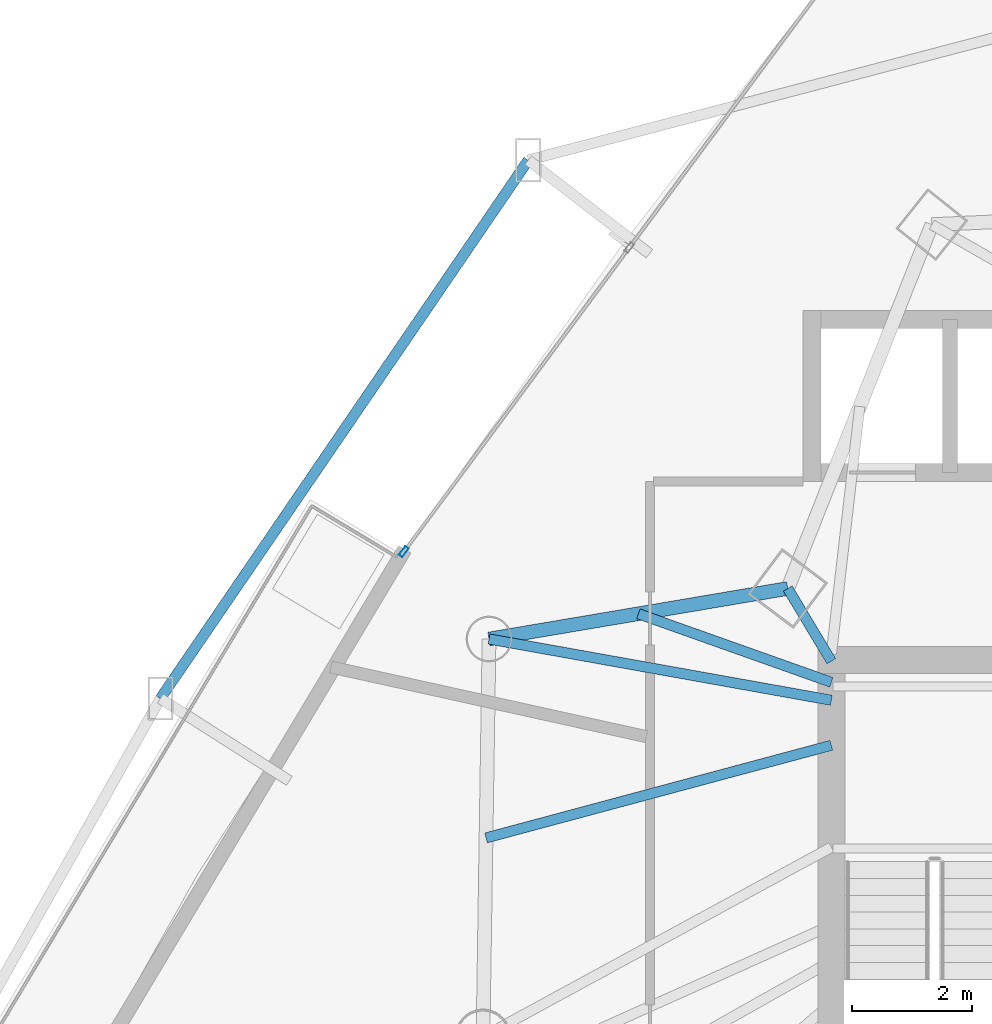
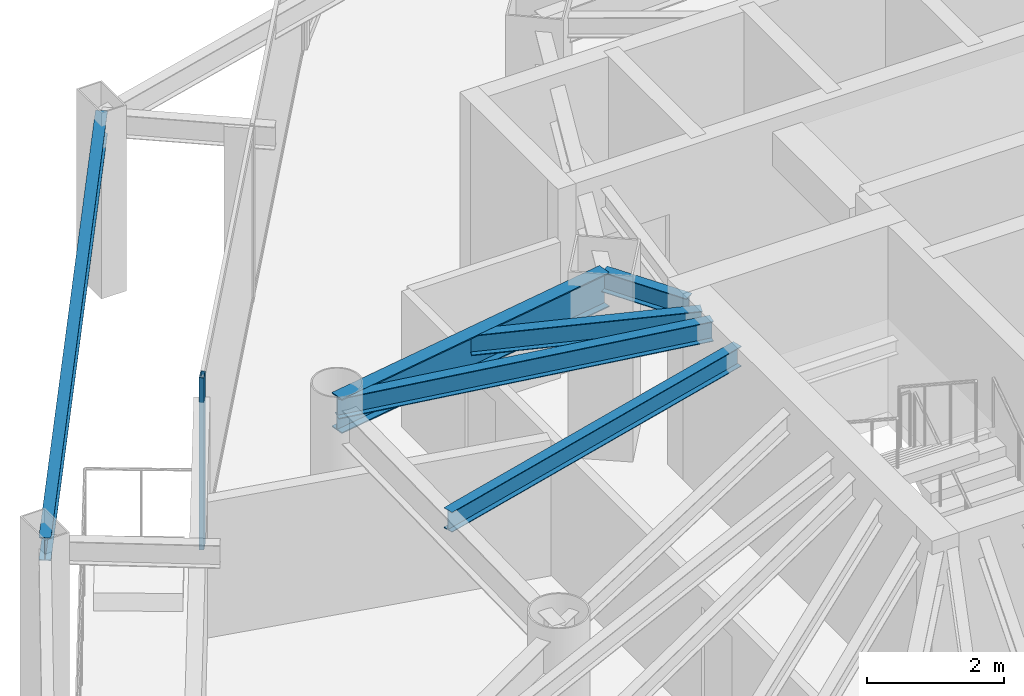
# One storey, part 23 of 37: 6 beams, 1 member, 1 element without a shape of its own.
"""IFC4 building model written with IfcOpenShell, lengths in metres."""

from ifc_helpers import new_model, si_unit, direction, frame, origin, origin_2d, place, context, subcontext, project, spatial, hollow_rectangle, i_section, extrude, material, layer, layer_set, material_profile, profile_set, type_object, element, aggregate, save


model = new_model("IFC4")

# Units and contexts
model_context = context("Model", 3, precision=1e-05, world=origin(), true_north=direction((0.0, 1.0)))
body_context = subcontext(model_context, "Body", "Model", "MODEL_VIEW")
ifc_project = project(units=[si_unit("LENGTHUNIT", "METRE"), si_unit("AREAUNIT", "SQUARE_METRE"), si_unit("VOLUMEUNIT", "CUBIC_METRE"), si_unit("PLANEANGLEUNIT", "RADIAN"), si_unit("MASSUNIT", "GRAM", prefix="KILO")], contexts=[model_context])

# Site, building, storey
site_placement = place(None, origin())
site = spatial("IfcSite", under=ifc_project, at=site_placement, CompositionType="ELEMENT")
building_placement = place(site_placement, origin())
building = spatial("IfcBuilding", under=site, at=building_placement, Name="Orvanel Arch Residences", CompositionType="ELEMENT")
storey_placement = place(building_placement, frame((0.0, 0.0, 53.300048828125)))
storey = spatial("IfcBuildingStorey", under=building, at=storey_placement, Name="L14", CompositionType="ELEMENT", Elevation=53.300048828125)

# Beams
ifc_material_1 = material(Name="Structural steel AS/NZS 3679.1 Grade 300 (300 MPa)", Category="steel")
ifc_material_profile_1 = material_profile(ifc_material_1, i_section(OverallWidth=0.1708984375, OverallDepth=0.35595703125, WebThickness=0.00732421875, FlangeThickness=0.011474609375, at=origin_2d()), Name="360UB50.7")
ifc_profile_set_1 = profile_set([ifc_material_profile_1], Name="Structural steel AS/NZS 3679.1 Grade 300 (300 MPa)")
beam_type_1 = type_object("IfcBeamType", Name="BJ-360UB", PredefinedType="JOIST", material=ifc_profile_set_1)
beam_1_placement = place(storey_placement, frame((26.375, 33.89990234375, 2.8818359375), z_axis=(-0.514064138778, 0.857751748015, 0.0), x_axis=(-0.857751748015, -0.514064138778, 0.0)))
element("IfcBeam", 1, at=beam_1_placement, inside=storey, type_object=beam_type_1, Name="L14 NNW Wing Floor Joist", PredefinedType="JOIST", context=body_context, shape_type="SweptSolid", body=[
    extrude(i_section(OverallWidth=0.1708984375, OverallDepth=0.35595703125, WebThickness=0.00732421875, FlangeThickness=0.011474609375, at=origin_2d()), origin(), (0.0, 0.0, 1.0), 1.414306640625),
])
beam_2_placement = place(storey_placement, frame((26.375, 32.5, 2.8818359375), z_axis=(-0.965844838168, -0.259121107949, 0.0), x_axis=(0.259121107949, -0.965844838168, 0.0)))
element("IfcBeam", 2, at=beam_2_placement, inside=storey, type_object=beam_type_1, Name="L14 WNW Wing Floor Joist", PredefinedType="JOIST", context=body_context, shape_type="SweptSolid", body=[
    extrude(i_section(OverallWidth=0.1708984375, OverallDepth=0.35595703125, WebThickness=0.00732421875, FlangeThickness=0.011474609375, at=origin_2d()), origin(), (0.0, 0.0, 1.0), 5.95849609375),
])
beam_3_placement = place(storey_placement, frame((26.375, 33.25, 2.8818359375), z_axis=(-0.984360855662, 0.176163860766, 0.0), x_axis=(-0.176163860766, -0.984360855662, 0.0)))
element("IfcBeam", 3, at=beam_3_placement, inside=storey, type_object=beam_type_1, Name="L14 LW Wing Floor Joist", PredefinedType="JOIST", context=body_context, shape_type="SweptSolid", body=[
    extrude(i_section(OverallWidth=0.1708984375, OverallDepth=0.35595703125, WebThickness=0.00732421875, FlangeThickness=0.011474609375, at=origin_2d()), origin(), (0.0, 0.0, 1.0), 5.795654296875),
])
beam_4_placement = place(storey_placement, frame((26.375, 33.550048828125, 2.8818359375), z_axis=(-0.942366638377, 0.334582006201, 0.0), x_axis=(-0.334582006201, -0.942366638377, 0.0)))
element("IfcBeam", 4, at=beam_4_placement, inside=storey, type_object=beam_type_1, Name="L14 JADD3 Wing Floor Joist", PredefinedType="JOIST", context=body_context, shape_type="SweptSolid", body=[
    extrude(i_section(OverallWidth=0.1708984375, OverallDepth=0.35595703125, WebThickness=0.00732421875, FlangeThickness=0.011474609375, at=origin_2d()), origin(), (0.0, 0.0, 1.0), 3.412841796875),
])

# Curtain wall, member
ifc_material_2 = material(Name="Bronze-anodised aluminium AA6063-T6", Category="aluminium")
ifc_layer = layer(ifc_material_2, 0.179931640625)
ifc_layer_set = layer_set([ifc_layer], Name="Bronze-anodised aluminium AA6063-T6")
curtain_wall_type = type_object("IfcCurtainWallType", Name="CW2-LOW-SYS", PredefinedType="NOTDEFINED", material=ifc_layer_set)
curtain_wall_placement = place(storey_placement, origin())
curtain_wall = element("IfcCurtainWall", 5, at=curtain_wall_placement, inside=storey, type_object=curtain_wall_type, Name="L14 CW2-LOW-SYS Unitised Curtain Wall", PredefinedType="NOTDEFINED")
ifc_material_profile_2 = material_profile(ifc_material_2, hollow_rectangle(XDim=0.070068359375, YDim=0.179931640625, WallThickness=0.00439453125, at=origin_2d()), Name="ALU180x70x4.5")
ifc_profile_set_2 = profile_set([ifc_material_profile_2], Name="Bronze-anodised aluminium AA6063-T6")
member_type = type_object("IfcMemberType", Name="MUL-180x70", PredefinedType="MULLION", material=ifc_profile_set_2)
member_placement = place(storey_placement, frame((19.247802734375, 35.72509765625, 0.0), z_axis=(0.0, 0.0, 1.0), x_axis=(0.803233082468, -0.595664851429, 0.0)))
member = element("IfcMember", 6, at=member_placement, type_object=member_type, Name="CW-S2 mullion 3", PredefinedType="MULLION", context=body_context, shape_type="SweptSolid", body=[
    extrude(hollow_rectangle(XDim=0.070068359375, YDim=0.179931640625, WallThickness=0.00439453125, at=origin_2d()), origin(), (0.0, 0.0, 1.0), 3.06005859375),
])
aggregate(curtain_wall, [member])

# Beams
ifc_material_profile_3 = material_profile(ifc_material_1, i_section(OverallWidth=0.177978515625, OverallDepth=0.406005859375, WebThickness=0.0078125, FlangeThickness=0.0126953125, at=origin_2d()), Name="410UB59.7")
ifc_profile_set_3 = profile_set([ifc_material_profile_3], Name="Structural steel AS/NZS 3679.1 Grade 300 (300 MPa)")
beam_type_2 = type_object("IfcBeamType", Name="OB-410UB-EXT", PredefinedType="SPANDREL", material=ifc_profile_set_3)
beam_5_placement = place(storey_placement, frame((21.323974609375, 42.251953125, 2.85693359375), z_axis=(-0.564228022411, -0.825619003371, 0.0), x_axis=(0.825619003371, -0.564228022411, 0.0)))
element("IfcBeam", 7, at=beam_5_placement, inside=storey, type_object=beam_type_2, Name="L14 Outer Perimeter Floor Ring Beam 01", PredefinedType="SPANDREL", context=body_context, shape_type="SweptSolid", body=[
    extrude(i_section(OverallWidth=0.177978515625, OverallDepth=0.406005859375, WebThickness=0.0078125, FlangeThickness=0.0126953125, at=origin_2d()), origin(), (0.0, 0.0, 1.0), 10.8681640625),
])
ifc_material_profile_4 = material_profile(ifc_material_1, i_section(OverallWidth=0.22900390625, OverallDepth=0.612060546875, WebThickness=0.011962890625, FlangeThickness=0.01953125, at=origin_2d()), Name="610UB125")
ifc_profile_set_4 = profile_set([ifc_material_profile_4], Name="Structural steel AS/NZS 3679.1 Grade 300 (300 MPa)")
beam_type_3 = type_object("IfcBeamType", Name="SP-610UB", PredefinedType="SPANDREL", material=ifc_profile_set_4)
beam_6_placement = place(storey_placement, frame((25.64794921875, 35.113037109375, 2.75390625), z_axis=(-0.985993733897, -0.166782363326, 0.0), x_axis=(0.166782363326, -0.985993733897, 0.0)))
element("IfcBeam", 8, at=beam_6_placement, inside=storey, type_object=beam_type_3, Name="L14 Perimeter Spandrel Beam 19", PredefinedType="SPANDREL", context=body_context, shape_type="SweptSolid", body=[
    extrude(i_section(OverallWidth=0.22900390625, OverallDepth=0.612060546875, WebThickness=0.011962890625, FlangeThickness=0.01953125, at=origin_2d()), origin(), (0.0, 0.0, 1.0), 5.048828125),
])

save(model, "model.ifc")
